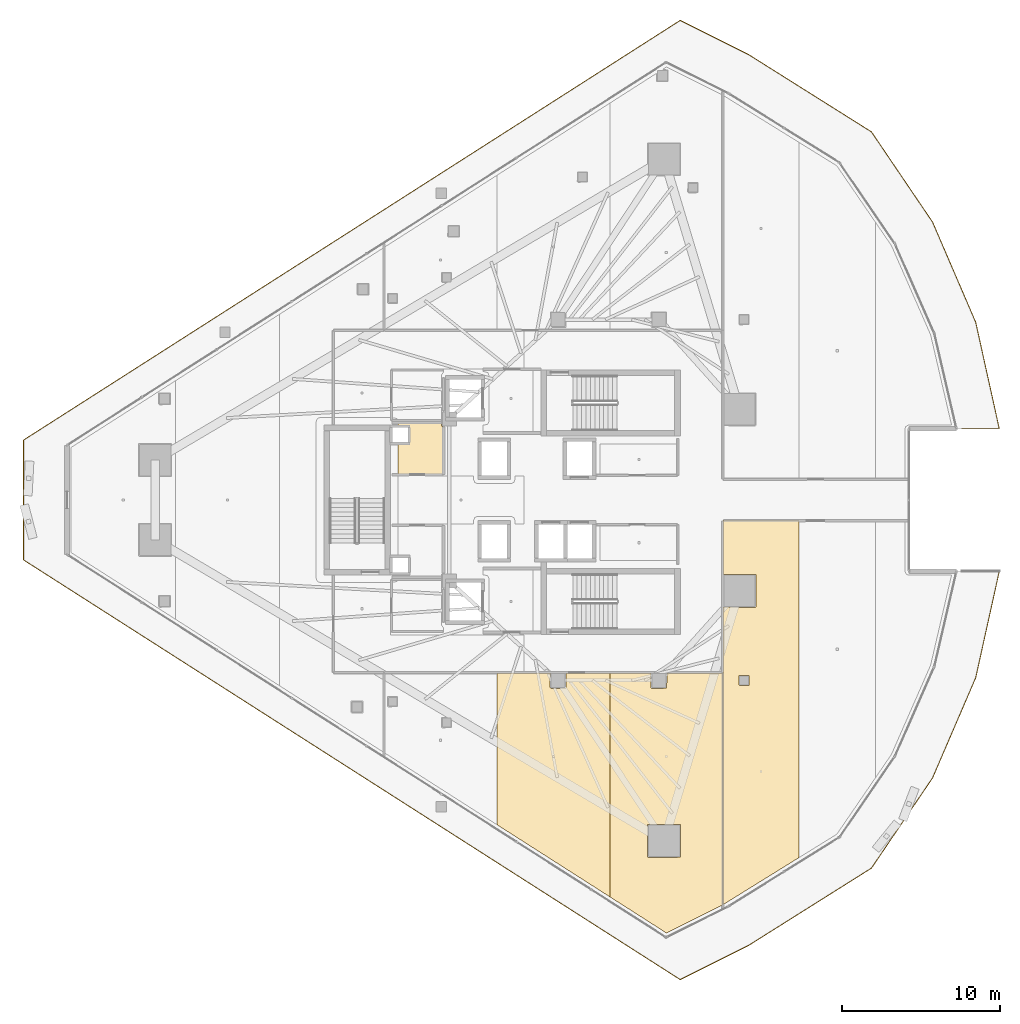
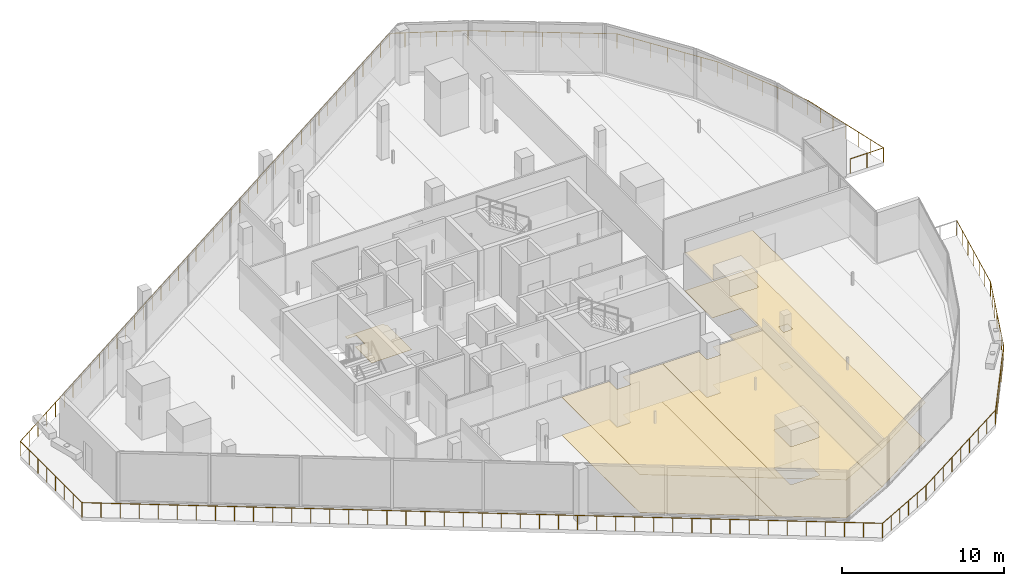
# One storey, part 32 of 36: 7 coverings, 1 railing.
"""IFC4 building model written with IfcOpenShell, lengths in metres."""

from ifc_helpers import new_model, si_unit, direction, frame, origin, origin_2d, place, context, subcontext, project, spatial, polyline, circle, outline, extrude, material, layer, layer_set, type_object, element, save


model = new_model("IFC4")

# Units and contexts
model_context = context("Model", 3, precision=1e-05, world=origin(), true_north=direction((0.0, 1.0)))
body_context = subcontext(model_context, "Body", "Model", "MODEL_VIEW")
ifc_project = project(units=[si_unit("LENGTHUNIT", "METRE"), si_unit("AREAUNIT", "SQUARE_METRE"), si_unit("VOLUMEUNIT", "CUBIC_METRE"), si_unit("PLANEANGLEUNIT", "RADIAN"), si_unit("MASSUNIT", "GRAM", prefix="KILO")], contexts=[model_context])

# Site, building, storey
site_placement = place(None, origin())
site = spatial("IfcSite", under=ifc_project, at=site_placement, CompositionType="ELEMENT")
building_placement = place(site_placement, origin())
building = spatial("IfcBuilding", under=site, at=building_placement, Name="Qorvath Tower", CompositionType="ELEMENT")
storey_placement = place(building_placement, frame((0.0, 0.0, 192.89990234375)))
storey = spatial("IfcBuildingStorey", under=building, at=storey_placement, Name="L44", CompositionType="ELEMENT", Elevation=192.89990234375)

# Coverings
ifc_material_1 = material(Name="Acoustic mineral fibre ceiling tile", Category="gypsum")
ifc_layer_1 = layer(ifc_material_1, 0.030029296875)
ifc_layer_set_1 = layer_set([ifc_layer_1], Name="COV-CEIL")
covering_type_1 = type_object("IfcCoveringType", Name="COV-CEIL", PredefinedType="CEILING", material=ifc_layer_set_1)
covering_1_placement = place(storey_placement, frame((0.0, 0.0, 2.85009765625)))
element("IfcCovering", 1, at=covering_1_placement, inside=storey, type_object=covering_type_1, Name="L44 Suspended Acoustic Ceiling 019", PredefinedType="CEILING", context=body_context, shape_type="SweptSolid", body=[
    extrude(outline(polyline([(-24.0947265625, -10.962890625), (-27.476318359375, -10.962890625), (-27.476318359375, -20.6083984375), (-20.315673828125, -25.18505859375), (-20.315673828125, -10.962890625), (-23.105224609375, -10.962890625), (-23.107666015625, -11.9423828125), (-24.050048828125, -11.9599609375), (-24.110107421875, -11.89990234375), (-24.0947265625, -10.962890625)])), origin(), (0.0, 0.0, 1.0), 0.030029296875),
])
covering_2_placement = place(storey_placement, frame((0.0, 0.0, 2.85009765625)))
element("IfcCovering", 2, at=covering_2_placement, inside=storey, type_object=covering_type_1, Name="L44 Suspended Acoustic Ceiling 020", PredefinedType="CEILING", context=body_context, shape_type="SweptSolid", body=[
    extrude(outline(polyline([(-20.315673828125, -10.962890625), (-20.315673828125, -25.18505859375), (-16.7275390625, -27.478271484375), (-13.155029296875, -25.69189453125), (-13.155029296875, -10.962890625), (-16.705322265625, -10.962890625), (-16.70751953125, -11.9423828125), (-17.64990234375, -11.9599609375), (-17.7099609375, -11.89990234375), (-17.694580078125, -10.962890625), (-20.315673828125, -10.962890625)]), holes=[polyline([(-17.931640625, -22.627197265625), (-17.9140625, -20.584716796875), (-15.829345703125, -20.584716796875), (-15.829345703125, -22.66943359375), (-17.87158203125, -22.68701171875), (-17.931640625, -22.627197265625)])]), origin(), (0.0, 0.0, 1.0), 0.030029296875),
])
covering_3_placement = place(storey_placement, frame((0.0, 0.0, 2.85009765625)))
element("IfcCovering", 3, at=covering_3_placement, inside=storey, type_object=covering_type_1, Name="L44 Suspended Acoustic Ceiling 024", PredefinedType="CEILING", context=body_context, shape_type="SweptSolid", body=[
    extrude(outline(polyline([(-8.3037109375, -22.687744140625), (-8.3037109375, -1.31298828125), (-13.136962890625, -1.31298828125), (-13.136962890625, -4.714599609375), (-11.054443359375, -4.715576171875), (-11.036865234375, -6.7578125), (-11.0966796875, -6.81787109375), (-13.136962890625, -6.80126953125), (-13.136962890625, -25.68212890625), (-8.3037109375, -22.687744140625)]), holes=[polyline([(-12.135009765625, -11.72509765625), (-12.117431640625, -11.132568359375), (-11.482666015625, -11.132568359375), (-11.482666015625, -11.767333984375), (-12.074951171875, -11.784912109375), (-12.135009765625, -11.72509765625)])]), origin(), (0.0, 0.0, 1.0), 0.030029296875),
])
ifc_material_2 = material(Name="Low-VOC modular carpet tile", Category="textile")
ifc_layer_2 = layer(ifc_material_2, 0.014892578125)
ifc_layer_set_2 = layer_set([ifc_layer_2], Name="COV-FLOOR-CPT")
covering_type_2 = type_object("IfcCoveringType", Name="COV-FLOOR-CPT", PredefinedType="FLOORING", material=ifc_layer_set_2)
covering_4_placement = place(storey_placement, origin())
element("IfcCovering", 4, at=covering_4_placement, inside=storey, type_object=covering_type_2, Name="L44 Floor Finish 006", PredefinedType="FLOORING", context=body_context, shape_type="SweptSolid", body=[
    extrude(outline(polyline([(-31.010009765625, 4.89501953125), (-33.760009765625, 4.89501953125), (-33.760009765625, 4.633056640625), (-33.08837890625, 4.631591796875), (-33.0869140625, 3.64208984375), (-33.760009765625, 3.636962890625), (-33.760009765625, 1.60498046875), (-30.885009765625, 1.60498046875), (-30.885009765625, 4.639892578125), (-31.010009765625, 4.699951171875), (-31.010009765625, 4.89501953125)])), origin(), (0.0, 0.0, 1.0), 0.01513671875),
])
covering_5_placement = place(storey_placement, origin())
element("IfcCovering", 5, at=covering_5_placement, inside=storey, type_object=covering_type_2, Name="L44 Floor Finish 019", PredefinedType="FLOORING", context=body_context, shape_type="SweptSolid", body=[
    extrude(outline(polyline([(-24.0947265625, -10.962890625), (-27.476318359375, -10.962890625), (-27.476318359375, -20.6083984375), (-20.315673828125, -25.18505859375), (-20.315673828125, -10.962890625), (-23.105224609375, -10.962890625), (-23.107666015625, -11.9423828125), (-24.050048828125, -11.9599609375), (-24.110107421875, -11.89990234375), (-24.0947265625, -10.962890625)])), origin(), (0.0, 0.0, 1.0), 0.01513671875),
])
covering_6_placement = place(storey_placement, origin())
element("IfcCovering", 6, at=covering_6_placement, inside=storey, type_object=covering_type_2, Name="L44 Floor Finish 020", PredefinedType="FLOORING", context=body_context, shape_type="SweptSolid", body=[
    extrude(outline(polyline([(-20.315673828125, -10.962890625), (-20.315673828125, -25.18505859375), (-16.7275390625, -27.478271484375), (-13.155029296875, -25.69189453125), (-13.155029296875, -10.962890625), (-16.705322265625, -10.962890625), (-16.70751953125, -11.9423828125), (-17.64990234375, -11.9599609375), (-17.7099609375, -11.89990234375), (-17.694580078125, -10.962890625), (-20.315673828125, -10.962890625)]), holes=[polyline([(-17.931640625, -22.627197265625), (-17.9140625, -20.584716796875), (-15.829345703125, -20.584716796875), (-15.829345703125, -22.66943359375), (-17.87158203125, -22.68701171875), (-17.931640625, -22.627197265625)])]), origin(), (0.0, 0.0, 1.0), 0.01513671875),
])
covering_7_placement = place(storey_placement, origin())
element("IfcCovering", 7, at=covering_7_placement, inside=storey, type_object=covering_type_2, Name="L44 Floor Finish 024", PredefinedType="FLOORING", context=body_context, shape_type="SweptSolid", body=[
    extrude(outline(polyline([(-8.3037109375, -22.687744140625), (-8.3037109375, -1.31298828125), (-13.136962890625, -1.31298828125), (-13.136962890625, -4.714599609375), (-11.054443359375, -4.715576171875), (-11.036865234375, -6.7578125), (-11.0966796875, -6.81787109375), (-13.136962890625, -6.80126953125), (-13.136962890625, -25.68212890625), (-8.3037109375, -22.687744140625)]), holes=[polyline([(-12.135009765625, -11.72509765625), (-12.117431640625, -11.132568359375), (-11.482666015625, -11.132568359375), (-11.482666015625, -11.767333984375), (-12.074951171875, -11.784912109375), (-12.135009765625, -11.72509765625)])]), origin(), (0.0, 0.0, 1.0), 0.01513671875),
])

# Railing
ifc_material_3 = material(Name="Laminated safety glass and stainless steel AISI 316", Category="steel")
railing_type = type_object("IfcRailingType", Name="RL-EXT-GRD", PredefinedType="GUARDRAIL", material=ifc_material_3)
railing_placement = place(storey_placement, frame((4.400390625, -4.519775390625, 0.0)))
element("IfcRailing", 8, at=railing_placement, inside=storey, type_object=railing_type, Name="Loggia Perimeter Guardrail L44-1.1", PredefinedType="GUARDRAIL", context=body_context, shape_type="SweptSolid", body=[
    extrude(circle(Radius=0.02392578125, at=origin_2d()), frame((0.0, 0.0, 1.09619140625), z_axis=(-0.216086299344, -0.976374268012, 0.0), x_axis=(0.976374268012, -0.216086299344, 0.0)), (0.0, 0.0, 1.0), 6.92138671875),
    extrude(circle(Radius=0.02392578125, at=origin_2d()), frame((-1.49560546875, -6.7578125, 1.09619140625), z_axis=(-0.395493893873, -0.918468605838, 0.0), x_axis=(0.918468605838, -0.395493893873, 0.0)), (0.0, 0.0, 1.0), 6.921142578125),
    extrude(circle(Radius=0.02392578125, at=origin_2d()), frame((-4.23291015625, -13.11474609375, 1.09619140625), z_axis=(-0.560814607135, -0.827941408811, 0.0), x_axis=(0.827941408811, -0.560814607135, 0.0)), (0.0, 0.0, 1.0), 6.92138671875),
    extrude(circle(Radius=0.02392578125, at=origin_2d()), frame((-8.114501953125, -18.84521484375, 1.09619140625), z_axis=(-0.846504714784, -0.53238122417, 0.0), x_axis=(0.53238122417, -0.846504714784, 0.0)), (0.0, 0.0, 1.0), 9.203857421875),
    extrude(circle(Radius=0.02392578125, at=origin_2d()), frame((-15.905517578125, -23.7451171875, 1.09619140625), z_axis=(-0.89441714735, -0.447233682236, 0.0), x_axis=(0.447233682236, -0.89441714735, 0.0)), (0.0, 0.0, 1.0), 4.86181640625),
    extrude(circle(Radius=0.02392578125, at=origin_2d()), frame((-20.25390625, -25.91943359375, 1.09619140625), z_axis=(-0.84260492013, 0.538532216839, 0.0), x_axis=(-0.538532216839, -0.84260492013, 0.0)), (0.0, 0.0, 1.0), 49.457275390625),
    extrude(circle(Radius=0.02392578125, at=origin_2d()), frame((-61.9267578125, 0.71484375, 1.09619140625), z_axis=(0.0, 1.0, 0.0), x_axis=(-1.0, 0.0, 0.0)), (0.0, 0.0, 1.0), 7.60986328125),
    extrude(circle(Radius=0.02392578125, at=origin_2d()), frame((-61.9267578125, 8.32470703125, 1.09619140625), z_axis=(0.84260492013, 0.538532216839, 0.0), x_axis=(-0.538532216839, 0.84260492013, 0.0)), (0.0, 0.0, 1.0), 49.457275390625),
    extrude(circle(Radius=0.02392578125, at=origin_2d()), frame((-20.25390625, 34.958984375, 1.09619140625), z_axis=(0.89441714735, -0.447233682236, 0.0), x_axis=(0.447233682236, 0.89441714735, 0.0)), (0.0, 0.0, 1.0), 4.86181640625),
    extrude(circle(Radius=0.02392578125, at=origin_2d()), frame((-15.905517578125, 32.78466796875, 1.09619140625), z_axis=(0.846504714784, -0.53238122417, 0.0), x_axis=(0.53238122417, 0.846504714784, 0.0)), (0.0, 0.0, 1.0), 9.203857421875),
    extrude(circle(Radius=0.02392578125, at=origin_2d()), frame((-8.114501953125, 27.884765625, 1.09619140625), z_axis=(0.560814607135, -0.827941408811, 0.0), x_axis=(0.827941408811, 0.560814607135, 0.0)), (0.0, 0.0, 1.0), 6.92138671875),
    extrude(circle(Radius=0.02392578125, at=origin_2d()), frame((-4.23291015625, 22.154296875, 1.09619140625), z_axis=(0.395493893873, -0.918468605838, 0.0), x_axis=(0.918468605838, 0.395493893873, 0.0)), (0.0, 0.0, 1.0), 6.921142578125),
    extrude(circle(Radius=0.02392578125, at=origin_2d()), frame((-1.49560546875, 15.79736328125, 1.09619140625), z_axis=(0.216086299344, -0.976374268012, 0.0), x_axis=(0.976374268012, 0.216086299344, 0.0)), (0.0, 0.0, 1.0), 6.92138671875),
    extrude(circle(Radius=0.02392578125, at=origin_2d()), frame((0.0, 9.03955078125, 1.09619140625), z_axis=(-1.0, 0.0, 0.0), x_axis=(0.0, -1.0, 0.0)), (0.0, 0.0, 1.0), 2.36669921875),
    extrude(circle(Radius=0.02099609375, at=origin_2d()), origin(), (0.0, 0.0, 1.0), 1.072021484375),
    extrude(circle(Radius=0.02099609375, at=origin_2d()), frame((-0.249267578125, -1.126220703125, 0.0)), (0.0, 0.0, 1.0), 1.072021484375),
    extrude(circle(Radius=0.02099609375, at=origin_2d()), frame((-0.49853515625, -2.252685546875, 0.0)), (0.0, 0.0, 1.0), 1.072021484375),
    extrude(circle(Radius=0.02099609375, at=origin_2d()), frame((-0.747802734375, -3.37890625, 0.0)), (0.0, 0.0, 1.0), 1.072021484375),
    extrude(circle(Radius=0.02099609375, at=origin_2d()), frame((-0.9970703125, -4.505126953125, 0.0)), (0.0, 0.0, 1.0), 1.072021484375),
    extrude(circle(Radius=0.02099609375, at=origin_2d()), frame((-1.246337890625, -5.631591796875, 0.0)), (0.0, 0.0, 1.0), 1.072021484375),
    extrude(circle(Radius=0.02099609375, at=origin_2d()), frame((-1.49560546875, -6.7578125, 0.0)), (0.0, 0.0, 1.0), 1.072021484375),
    extrude(circle(Radius=0.02099609375, at=origin_2d()), frame((-1.951904296875, -7.8173828125, 0.0)), (0.0, 0.0, 1.0), 1.072021484375),
    extrude(circle(Radius=0.02099609375, at=origin_2d()), frame((-2.407958984375, -8.876708984375, 0.0)), (0.0, 0.0, 1.0), 1.072021484375),
    extrude(circle(Radius=0.02099609375, at=origin_2d()), frame((-2.8642578125, -9.936279296875, 0.0)), (0.0, 0.0, 1.0), 1.072021484375),
    extrude(circle(Radius=0.02099609375, at=origin_2d()), frame((-3.320556640625, -10.995849609375, 0.0)), (0.0, 0.0, 1.0), 1.072021484375),
    extrude(circle(Radius=0.02099609375, at=origin_2d()), frame((-3.776611328125, -12.05517578125, 0.0)), (0.0, 0.0, 1.0), 1.072021484375),
    extrude(circle(Radius=0.02099609375, at=origin_2d()), frame((-4.23291015625, -13.11474609375, 0.0)), (0.0, 0.0, 1.0), 1.072021484375),
    extrude(circle(Radius=0.02099609375, at=origin_2d()), frame((-4.8798828125, -14.06982421875, 0.0)), (0.0, 0.0, 1.0), 1.072021484375),
    extrude(circle(Radius=0.02099609375, at=origin_2d()), frame((-5.52685546875, -15.02490234375, 0.0)), (0.0, 0.0, 1.0), 1.072021484375),
    extrude(circle(Radius=0.02099609375, at=origin_2d()), frame((-6.173828125, -15.97998046875, 0.0)), (0.0, 0.0, 1.0), 1.072021484375),
    extrude(circle(Radius=0.02099609375, at=origin_2d()), frame((-6.820556640625, -16.93505859375, 0.0)), (0.0, 0.0, 1.0), 1.072021484375),
    extrude(circle(Radius=0.02099609375, at=origin_2d()), frame((-7.467529296875, -17.89013671875, 0.0)), (0.0, 0.0, 1.0), 1.072021484375),
    extrude(circle(Radius=0.02099609375, at=origin_2d()), frame((-8.114501953125, -18.84521484375, 0.0)), (0.0, 0.0, 1.0), 1.072021484375),
    extrude(circle(Radius=0.02099609375, at=origin_2d()), frame((-9.08837890625, -19.457763671875, 0.0)), (0.0, 0.0, 1.0), 1.072021484375),
    extrude(circle(Radius=0.02099609375, at=origin_2d()), frame((-10.062255859375, -20.0703125, 0.0)), (0.0, 0.0, 1.0), 1.072021484375),
    extrude(circle(Radius=0.02099609375, at=origin_2d()), frame((-11.0361328125, -20.6826171875, 0.0)), (0.0, 0.0, 1.0), 1.072021484375),
    extrude(circle(Radius=0.02099609375, at=origin_2d()), frame((-12.010009765625, -21.295166015625, 0.0)), (0.0, 0.0, 1.0), 1.072021484375),
    extrude(circle(Radius=0.02099609375, at=origin_2d()), frame((-12.98388671875, -21.90771484375, 0.0)), (0.0, 0.0, 1.0), 1.072021484375),
    extrude(circle(Radius=0.02099609375, at=origin_2d()), frame((-13.957763671875, -22.52001953125, 0.0)), (0.0, 0.0, 1.0), 1.072021484375),
    extrude(circle(Radius=0.02099609375, at=origin_2d()), frame((-14.931640625, -23.132568359375, 0.0)), (0.0, 0.0, 1.0), 1.072021484375),
    extrude(circle(Radius=0.02099609375, at=origin_2d()), frame((-15.905517578125, -23.7451171875, 0.0)), (0.0, 0.0, 1.0), 1.072021484375),
    extrude(circle(Radius=0.02099609375, at=origin_2d()), frame((-16.775146484375, -24.179931640625, 0.0)), (0.0, 0.0, 1.0), 1.072021484375),
    extrude(circle(Radius=0.02099609375, at=origin_2d()), frame((-17.644775390625, -24.61474609375, 0.0)), (0.0, 0.0, 1.0), 1.072021484375),
    extrude(circle(Radius=0.02099609375, at=origin_2d()), frame((-18.5146484375, -25.0498046875, 0.0)), (0.0, 0.0, 1.0), 1.072021484375),
    extrude(circle(Radius=0.02099609375, at=origin_2d()), frame((-19.38427734375, -25.484619140625, 0.0)), (0.0, 0.0, 1.0), 1.072021484375),
    extrude(circle(Radius=0.02099609375, at=origin_2d()), frame((-20.25390625, -25.91943359375, 0.0)), (0.0, 0.0, 1.0), 1.072021484375),
    extrude(circle(Radius=0.02099609375, at=origin_2d()), frame((-21.24609375, -25.285400390625, 0.0)), (0.0, 0.0, 1.0), 1.072021484375),
    extrude(circle(Radius=0.02099609375, at=origin_2d()), frame((-22.23828125, -24.651123046875, 0.0)), (0.0, 0.0, 1.0), 1.072021484375),
    extrude(circle(Radius=0.02099609375, at=origin_2d()), frame((-23.23046875, -24.01708984375, 0.0)), (0.0, 0.0, 1.0), 1.072021484375),
    extrude(circle(Radius=0.02099609375, at=origin_2d()), frame((-24.22265625, -23.3828125, 0.0)), (0.0, 0.0, 1.0), 1.072021484375),
    extrude(circle(Radius=0.02099609375, at=origin_2d()), frame((-25.21484375, -22.748779296875, 0.0)), (0.0, 0.0, 1.0), 1.072021484375),
    extrude(circle(Radius=0.02099609375, at=origin_2d()), frame((-26.207275390625, -22.114501953125, 0.0)), (0.0, 0.0, 1.0), 1.072021484375),
    extrude(circle(Radius=0.02099609375, at=origin_2d()), frame((-27.199462890625, -21.48046875, 0.0)), (0.0, 0.0, 1.0), 1.072021484375),
    extrude(circle(Radius=0.02099609375, at=origin_2d()), frame((-28.191650390625, -20.84619140625, 0.0)), (0.0, 0.0, 1.0), 1.072021484375),
    extrude(circle(Radius=0.02099609375, at=origin_2d()), frame((-29.183837890625, -20.212158203125, 0.0)), (0.0, 0.0, 1.0), 1.072021484375),
    extrude(circle(Radius=0.02099609375, at=origin_2d()), frame((-30.176025390625, -19.577880859375, 0.0)), (0.0, 0.0, 1.0), 1.072021484375),
    extrude(circle(Radius=0.02099609375, at=origin_2d()), frame((-31.168212890625, -18.94384765625, 0.0)), (0.0, 0.0, 1.0), 1.072021484375),
    extrude(circle(Radius=0.02099609375, at=origin_2d()), frame((-32.160400390625, -18.3095703125, 0.0)), (0.0, 0.0, 1.0), 1.072021484375),
    extrude(circle(Radius=0.02099609375, at=origin_2d()), frame((-33.152587890625, -17.675537109375, 0.0)), (0.0, 0.0, 1.0), 1.072021484375),
    extrude(circle(Radius=0.02099609375, at=origin_2d()), frame((-34.144775390625, -17.041259765625, 0.0)), (0.0, 0.0, 1.0), 1.072021484375),
    extrude(circle(Radius=0.02099609375, at=origin_2d()), frame((-35.136962890625, -16.4072265625, 0.0)), (0.0, 0.0, 1.0), 1.072021484375),
    extrude(circle(Radius=0.02099609375, at=origin_2d()), frame((-36.12939453125, -15.77294921875, 0.0)), (0.0, 0.0, 1.0), 1.072021484375),
    extrude(circle(Radius=0.02099609375, at=origin_2d()), frame((-37.12158203125, -15.138916015625, 0.0)), (0.0, 0.0, 1.0), 1.072021484375),
    extrude(circle(Radius=0.02099609375, at=origin_2d()), frame((-38.11376953125, -14.504638671875, 0.0)), (0.0, 0.0, 1.0), 1.072021484375),
    extrude(circle(Radius=0.02099609375, at=origin_2d()), frame((-39.10595703125, -13.87060546875, 0.0)), (0.0, 0.0, 1.0), 1.072021484375),
    extrude(circle(Radius=0.02099609375, at=origin_2d()), frame((-40.09814453125, -13.236328125, 0.0)), (0.0, 0.0, 1.0), 1.072021484375),
    extrude(circle(Radius=0.02099609375, at=origin_2d()), frame((-41.09033203125, -12.602294921875, 0.0)), (0.0, 0.0, 1.0), 1.072021484375),
    extrude(circle(Radius=0.02099609375, at=origin_2d()), frame((-42.08251953125, -11.96826171875, 0.0)), (0.0, 0.0, 1.0), 1.072021484375),
    extrude(circle(Radius=0.02099609375, at=origin_2d()), frame((-43.07470703125, -11.333984375, 0.0)), (0.0, 0.0, 1.0), 1.072021484375),
    extrude(circle(Radius=0.02099609375, at=origin_2d()), frame((-44.06689453125, -10.699951171875, 0.0)), (0.0, 0.0, 1.0), 1.072021484375),
    extrude(circle(Radius=0.02099609375, at=origin_2d()), frame((-45.05908203125, -10.065673828125, 0.0)), (0.0, 0.0, 1.0), 1.072021484375),
    extrude(circle(Radius=0.02099609375, at=origin_2d()), frame((-46.05126953125, -9.431640625, 0.0)), (0.0, 0.0, 1.0), 1.072021484375),
    extrude(circle(Radius=0.02099609375, at=origin_2d()), frame((-47.043701171875, -8.79736328125, 0.0)), (0.0, 0.0, 1.0), 1.072021484375),
    extrude(circle(Radius=0.02099609375, at=origin_2d()), frame((-48.035888671875, -8.163330078125, 0.0)), (0.0, 0.0, 1.0), 1.072021484375),
    extrude(circle(Radius=0.02099609375, at=origin_2d()), frame((-49.028076171875, -7.529052734375, 0.0)), (0.0, 0.0, 1.0), 1.072021484375),
    extrude(circle(Radius=0.02099609375, at=origin_2d()), frame((-50.020263671875, -6.89501953125, 0.0)), (0.0, 0.0, 1.0), 1.072021484375),
    extrude(circle(Radius=0.02099609375, at=origin_2d()), frame((-51.012451171875, -6.2607421875, 0.0)), (0.0, 0.0, 1.0), 1.072021484375),
    extrude(circle(Radius=0.02099609375, at=origin_2d()), frame((-52.004638671875, -5.626708984375, 0.0)), (0.0, 0.0, 1.0), 1.072021484375),
    extrude(circle(Radius=0.02099609375, at=origin_2d()), frame((-52.996826171875, -4.992431640625, 0.0)), (0.0, 0.0, 1.0), 1.072021484375),
    extrude(circle(Radius=0.02099609375, at=origin_2d()), frame((-53.989013671875, -4.3583984375, 0.0)), (0.0, 0.0, 1.0), 1.072021484375),
    extrude(circle(Radius=0.02099609375, at=origin_2d()), frame((-54.981201171875, -3.72412109375, 0.0)), (0.0, 0.0, 1.0), 1.072021484375),
    extrude(circle(Radius=0.02099609375, at=origin_2d()), frame((-55.973388671875, -3.090087890625, 0.0)), (0.0, 0.0, 1.0), 1.072021484375),
    extrude(circle(Radius=0.02099609375, at=origin_2d()), frame((-56.9658203125, -2.455810546875, 0.0)), (0.0, 0.0, 1.0), 1.072021484375),
    extrude(circle(Radius=0.02099609375, at=origin_2d()), frame((-57.9580078125, -1.82177734375, 0.0)), (0.0, 0.0, 1.0), 1.072021484375),
    extrude(circle(Radius=0.02099609375, at=origin_2d()), frame((-58.9501953125, -1.1875, 0.0)), (0.0, 0.0, 1.0), 1.072021484375),
    extrude(circle(Radius=0.02099609375, at=origin_2d()), frame((-59.9423828125, -0.553466796875, 0.0)), (0.0, 0.0, 1.0), 1.072021484375),
    extrude(circle(Radius=0.02099609375, at=origin_2d()), frame((-60.9345703125, 0.080810546875, 0.0)), (0.0, 0.0, 1.0), 1.072021484375),
    extrude(circle(Radius=0.02099609375, at=origin_2d()), frame((-61.9267578125, 0.71484375, 0.0)), (0.0, 0.0, 1.0), 1.072021484375),
    extrude(circle(Radius=0.02099609375, at=origin_2d()), frame((-61.9267578125, 1.802001953125, 0.0)), (0.0, 0.0, 1.0), 1.072021484375),
    extrude(circle(Radius=0.02099609375, at=origin_2d()), frame((-61.9267578125, 2.88916015625, 0.0)), (0.0, 0.0, 1.0), 1.072021484375),
    extrude(circle(Radius=0.02099609375, at=origin_2d()), frame((-61.9267578125, 3.976318359375, 0.0)), (0.0, 0.0, 1.0), 1.072021484375),
    extrude(circle(Radius=0.02099609375, at=origin_2d()), frame((-61.9267578125, 5.063232421875, 0.0)), (0.0, 0.0, 1.0), 1.072021484375),
    extrude(circle(Radius=0.02099609375, at=origin_2d()), frame((-61.9267578125, 6.150390625, 0.0)), (0.0, 0.0, 1.0), 1.072021484375),
    extrude(circle(Radius=0.02099609375, at=origin_2d()), frame((-61.9267578125, 7.237548828125, 0.0)), (0.0, 0.0, 1.0), 1.072021484375),
    extrude(circle(Radius=0.02099609375, at=origin_2d()), frame((-61.9267578125, 8.32470703125, 0.0)), (0.0, 0.0, 1.0), 1.072021484375),
    extrude(circle(Radius=0.02099609375, at=origin_2d()), frame((-60.9345703125, 8.958740234375, 0.0)), (0.0, 0.0, 1.0), 1.072021484375),
    extrude(circle(Radius=0.02099609375, at=origin_2d()), frame((-59.9423828125, 9.593017578125, 0.0)), (0.0, 0.0, 1.0), 1.072021484375),
    extrude(circle(Radius=0.02099609375, at=origin_2d()), frame((-58.9501953125, 10.22705078125, 0.0)), (0.0, 0.0, 1.0), 1.072021484375),
    extrude(circle(Radius=0.02099609375, at=origin_2d()), frame((-57.9580078125, 10.861328125, 0.0)), (0.0, 0.0, 1.0), 1.072021484375),
    extrude(circle(Radius=0.02099609375, at=origin_2d()), frame((-56.9658203125, 11.495361328125, 0.0)), (0.0, 0.0, 1.0), 1.072021484375),
    extrude(circle(Radius=0.02099609375, at=origin_2d()), frame((-55.973388671875, 12.129638671875, 0.0)), (0.0, 0.0, 1.0), 1.072021484375),
    extrude(circle(Radius=0.02099609375, at=origin_2d()), frame((-54.981201171875, 12.763671875, 0.0)), (0.0, 0.0, 1.0), 1.072021484375),
    extrude(circle(Radius=0.02099609375, at=origin_2d()), frame((-53.989013671875, 13.39794921875, 0.0)), (0.0, 0.0, 1.0), 1.072021484375),
    extrude(circle(Radius=0.02099609375, at=origin_2d()), frame((-52.996826171875, 14.031982421875, 0.0)), (0.0, 0.0, 1.0), 1.072021484375),
    extrude(circle(Radius=0.02099609375, at=origin_2d()), frame((-52.004638671875, 14.666259765625, 0.0)), (0.0, 0.0, 1.0), 1.072021484375),
    extrude(circle(Radius=0.02099609375, at=origin_2d()), frame((-51.012451171875, 15.30029296875, 0.0)), (0.0, 0.0, 1.0), 1.072021484375),
    extrude(circle(Radius=0.02099609375, at=origin_2d()), frame((-50.020263671875, 15.9345703125, 0.0)), (0.0, 0.0, 1.0), 1.072021484375),
    extrude(circle(Radius=0.02099609375, at=origin_2d()), frame((-49.028076171875, 16.568603515625, 0.0)), (0.0, 0.0, 1.0), 1.072021484375),
    extrude(circle(Radius=0.02099609375, at=origin_2d()), frame((-48.035888671875, 17.202880859375, 0.0)), (0.0, 0.0, 1.0), 1.072021484375),
    extrude(circle(Radius=0.02099609375, at=origin_2d()), frame((-47.043701171875, 17.8369140625, 0.0)), (0.0, 0.0, 1.0), 1.072021484375),
    extrude(circle(Radius=0.02099609375, at=origin_2d()), frame((-46.05126953125, 18.47119140625, 0.0)), (0.0, 0.0, 1.0), 1.072021484375),
    extrude(circle(Radius=0.02099609375, at=origin_2d()), frame((-45.05908203125, 19.105224609375, 0.0)), (0.0, 0.0, 1.0), 1.072021484375),
    extrude(circle(Radius=0.02099609375, at=origin_2d()), frame((-44.06689453125, 19.739501953125, 0.0)), (0.0, 0.0, 1.0), 1.072021484375),
    extrude(circle(Radius=0.02099609375, at=origin_2d()), frame((-43.07470703125, 20.37353515625, 0.0)), (0.0, 0.0, 1.0), 1.072021484375),
    extrude(circle(Radius=0.02099609375, at=origin_2d()), frame((-42.08251953125, 21.0078125, 0.0)), (0.0, 0.0, 1.0), 1.072021484375),
    extrude(circle(Radius=0.02099609375, at=origin_2d()), frame((-41.09033203125, 21.641845703125, 0.0)), (0.0, 0.0, 1.0), 1.072021484375),
    extrude(circle(Radius=0.02099609375, at=origin_2d()), frame((-40.09814453125, 22.27587890625, 0.0)), (0.0, 0.0, 1.0), 1.072021484375),
    extrude(circle(Radius=0.02099609375, at=origin_2d()), frame((-39.10595703125, 22.91015625, 0.0)), (0.0, 0.0, 1.0), 1.072021484375),
    extrude(circle(Radius=0.02099609375, at=origin_2d()), frame((-38.11376953125, 23.544189453125, 0.0)), (0.0, 0.0, 1.0), 1.072021484375),
    extrude(circle(Radius=0.02099609375, at=origin_2d()), frame((-37.12158203125, 24.178466796875, 0.0)), (0.0, 0.0, 1.0), 1.072021484375),
    extrude(circle(Radius=0.02099609375, at=origin_2d()), frame((-36.12939453125, 24.8125, 0.0)), (0.0, 0.0, 1.0), 1.072021484375),
    extrude(circle(Radius=0.02099609375, at=origin_2d()), frame((-35.136962890625, 25.44677734375, 0.0)), (0.0, 0.0, 1.0), 1.072021484375),
    extrude(circle(Radius=0.02099609375, at=origin_2d()), frame((-34.144775390625, 26.080810546875, 0.0)), (0.0, 0.0, 1.0), 1.072021484375),
    extrude(circle(Radius=0.02099609375, at=origin_2d()), frame((-33.152587890625, 26.715087890625, 0.0)), (0.0, 0.0, 1.0), 1.072021484375),
    extrude(circle(Radius=0.02099609375, at=origin_2d()), frame((-32.160400390625, 27.34912109375, 0.0)), (0.0, 0.0, 1.0), 1.072021484375),
    extrude(circle(Radius=0.02099609375, at=origin_2d()), frame((-31.168212890625, 27.9833984375, 0.0)), (0.0, 0.0, 1.0), 1.072021484375),
    extrude(circle(Radius=0.02099609375, at=origin_2d()), frame((-30.176025390625, 28.617431640625, 0.0)), (0.0, 0.0, 1.0), 1.072021484375),
    extrude(circle(Radius=0.02099609375, at=origin_2d()), frame((-29.183837890625, 29.251708984375, 0.0)), (0.0, 0.0, 1.0), 1.072021484375),
    extrude(circle(Radius=0.02099609375, at=origin_2d()), frame((-28.191650390625, 29.8857421875, 0.0)), (0.0, 0.0, 1.0), 1.072021484375),
    extrude(circle(Radius=0.02099609375, at=origin_2d()), frame((-27.199462890625, 30.52001953125, 0.0)), (0.0, 0.0, 1.0), 1.072021484375),
    extrude(circle(Radius=0.02099609375, at=origin_2d()), frame((-26.207275390625, 31.154052734375, 0.0)), (0.0, 0.0, 1.0), 1.072021484375),
    extrude(circle(Radius=0.02099609375, at=origin_2d()), frame((-25.21484375, 31.788330078125, 0.0)), (0.0, 0.0, 1.0), 1.072021484375),
    extrude(circle(Radius=0.02099609375, at=origin_2d()), frame((-24.22265625, 32.42236328125, 0.0)), (0.0, 0.0, 1.0), 1.072021484375),
    extrude(circle(Radius=0.02099609375, at=origin_2d()), frame((-23.23046875, 33.056640625, 0.0)), (0.0, 0.0, 1.0), 1.072021484375),
    extrude(circle(Radius=0.02099609375, at=origin_2d()), frame((-22.23828125, 33.690673828125, 0.0)), (0.0, 0.0, 1.0), 1.072021484375),
    extrude(circle(Radius=0.02099609375, at=origin_2d()), frame((-21.24609375, 34.324951171875, 0.0)), (0.0, 0.0, 1.0), 1.072021484375),
    extrude(circle(Radius=0.02099609375, at=origin_2d()), frame((-20.25390625, 34.958984375, 0.0)), (0.0, 0.0, 1.0), 1.072021484375),
    extrude(circle(Radius=0.02099609375, at=origin_2d()), frame((-19.38427734375, 34.524169921875, 0.0)), (0.0, 0.0, 1.0), 1.072021484375),
    extrude(circle(Radius=0.02099609375, at=origin_2d()), frame((-18.5146484375, 34.08935546875, 0.0)), (0.0, 0.0, 1.0), 1.072021484375),
    extrude(circle(Radius=0.02099609375, at=origin_2d()), frame((-17.644775390625, 33.654296875, 0.0)), (0.0, 0.0, 1.0), 1.072021484375),
    extrude(circle(Radius=0.02099609375, at=origin_2d()), frame((-16.775146484375, 33.219482421875, 0.0)), (0.0, 0.0, 1.0), 1.072021484375),
    extrude(circle(Radius=0.02099609375, at=origin_2d()), frame((-15.905517578125, 32.78466796875, 0.0)), (0.0, 0.0, 1.0), 1.072021484375),
    extrude(circle(Radius=0.02099609375, at=origin_2d()), frame((-14.931640625, 32.172119140625, 0.0)), (0.0, 0.0, 1.0), 1.072021484375),
    extrude(circle(Radius=0.02099609375, at=origin_2d()), frame((-13.957763671875, 31.5595703125, 0.0)), (0.0, 0.0, 1.0), 1.072021484375),
    extrude(circle(Radius=0.02099609375, at=origin_2d()), frame((-12.98388671875, 30.947265625, 0.0)), (0.0, 0.0, 1.0), 1.072021484375),
    extrude(circle(Radius=0.02099609375, at=origin_2d()), frame((-12.010009765625, 30.334716796875, 0.0)), (0.0, 0.0, 1.0), 1.072021484375),
    extrude(circle(Radius=0.02099609375, at=origin_2d()), frame((-11.0361328125, 29.72216796875, 0.0)), (0.0, 0.0, 1.0), 1.072021484375),
    extrude(circle(Radius=0.02099609375, at=origin_2d()), frame((-10.062255859375, 29.10986328125, 0.0)), (0.0, 0.0, 1.0), 1.072021484375),
    extrude(circle(Radius=0.02099609375, at=origin_2d()), frame((-9.08837890625, 28.497314453125, 0.0)), (0.0, 0.0, 1.0), 1.072021484375),
    extrude(circle(Radius=0.02099609375, at=origin_2d()), frame((-8.114501953125, 27.884765625, 0.0)), (0.0, 0.0, 1.0), 1.072021484375),
    extrude(circle(Radius=0.02099609375, at=origin_2d()), frame((-7.467529296875, 26.9296875, 0.0)), (0.0, 0.0, 1.0), 1.072021484375),
    extrude(circle(Radius=0.02099609375, at=origin_2d()), frame((-6.820556640625, 25.974609375, 0.0)), (0.0, 0.0, 1.0), 1.072021484375),
    extrude(circle(Radius=0.02099609375, at=origin_2d()), frame((-6.173828125, 25.01953125, 0.0)), (0.0, 0.0, 1.0), 1.072021484375),
    extrude(circle(Radius=0.02099609375, at=origin_2d()), frame((-5.52685546875, 24.064453125, 0.0)), (0.0, 0.0, 1.0), 1.072021484375),
    extrude(circle(Radius=0.02099609375, at=origin_2d()), frame((-4.8798828125, 23.109375, 0.0)), (0.0, 0.0, 1.0), 1.072021484375),
    extrude(circle(Radius=0.02099609375, at=origin_2d()), frame((-4.23291015625, 22.154296875, 0.0)), (0.0, 0.0, 1.0), 1.072021484375),
    extrude(circle(Radius=0.02099609375, at=origin_2d()), frame((-3.776611328125, 21.0947265625, 0.0)), (0.0, 0.0, 1.0), 1.072021484375),
    extrude(circle(Radius=0.02099609375, at=origin_2d()), frame((-3.320556640625, 20.035400390625, 0.0)), (0.0, 0.0, 1.0), 1.072021484375),
    extrude(circle(Radius=0.02099609375, at=origin_2d()), frame((-2.8642578125, 18.975830078125, 0.0)), (0.0, 0.0, 1.0), 1.072021484375),
    extrude(circle(Radius=0.02099609375, at=origin_2d()), frame((-2.407958984375, 17.916259765625, 0.0)), (0.0, 0.0, 1.0), 1.072021484375),
    extrude(circle(Radius=0.02099609375, at=origin_2d()), frame((-1.951904296875, 16.85693359375, 0.0)), (0.0, 0.0, 1.0), 1.072021484375),
    extrude(circle(Radius=0.02099609375, at=origin_2d()), frame((-1.49560546875, 15.79736328125, 0.0)), (0.0, 0.0, 1.0), 1.072021484375),
    extrude(circle(Radius=0.02099609375, at=origin_2d()), frame((-1.246337890625, 14.671142578125, 0.0)), (0.0, 0.0, 1.0), 1.072021484375),
    extrude(circle(Radius=0.02099609375, at=origin_2d()), frame((-0.9970703125, 13.544677734375, 0.0)), (0.0, 0.0, 1.0), 1.072021484375),
    extrude(circle(Radius=0.02099609375, at=origin_2d()), frame((-0.747802734375, 12.41845703125, 0.0)), (0.0, 0.0, 1.0), 1.072021484375),
    extrude(circle(Radius=0.02099609375, at=origin_2d()), frame((-0.49853515625, 11.292236328125, 0.0)), (0.0, 0.0, 1.0), 1.072021484375),
    extrude(circle(Radius=0.02099609375, at=origin_2d()), frame((-0.249267578125, 10.165771484375, 0.0)), (0.0, 0.0, 1.0), 1.072021484375),
    extrude(circle(Radius=0.02099609375, at=origin_2d()), frame((0.0, 9.03955078125, 0.0)), (0.0, 0.0, 1.0), 1.072021484375),
    extrude(circle(Radius=0.02099609375, at=origin_2d()), frame((-1.183349609375, 9.03955078125, 0.0)), (0.0, 0.0, 1.0), 1.072021484375),
    extrude(circle(Radius=0.02099609375, at=origin_2d()), frame((-2.36669921875, 9.03955078125, 0.0)), (0.0, 0.0, 1.0), 1.072021484375),
])

save(model, "model.ifc")
